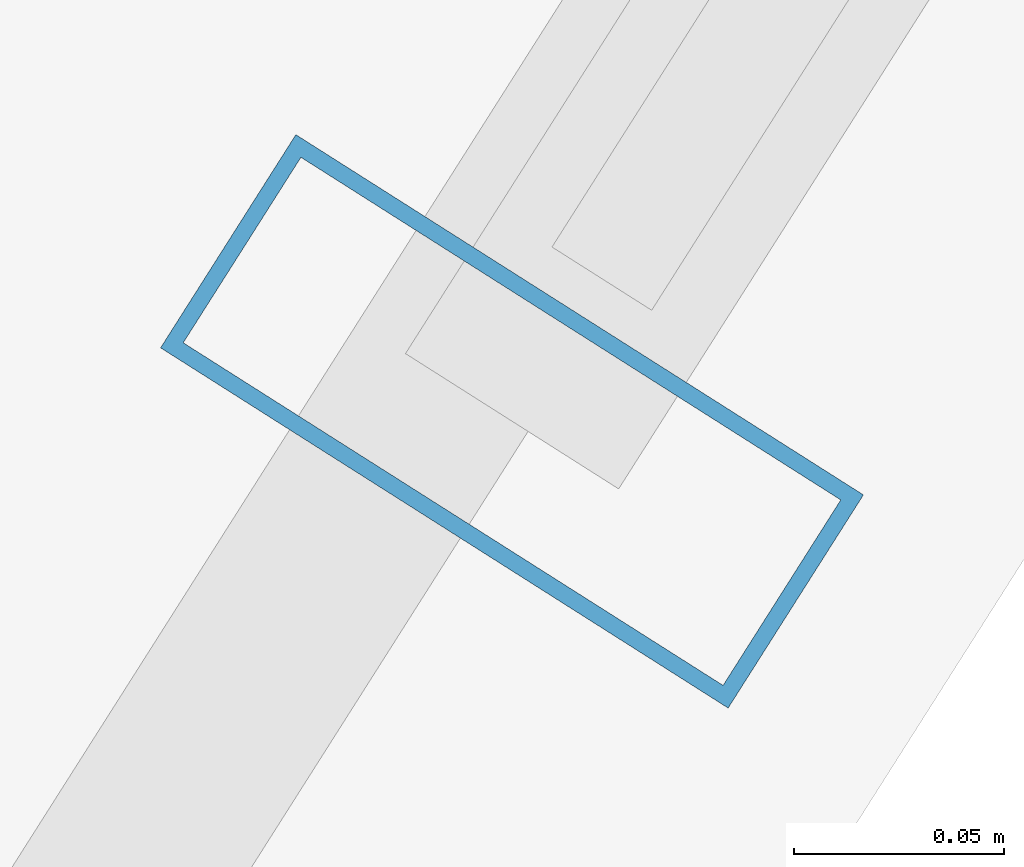
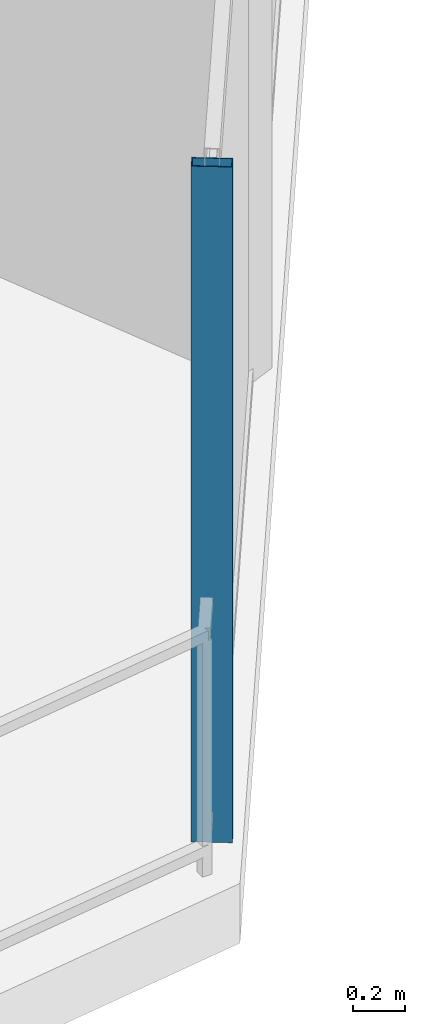
# One storey, part 5 of 30: 1 member, 1 element without a shape of its own.
"""IFC4 building model written with IfcOpenShell, lengths in metres."""

from ifc_helpers import new_model, si_unit, direction, frame, origin, origin_2d, place, context, subcontext, project, spatial, hollow_rectangle, extrude, material, layer, layer_set, material_profile, profile_set, type_object, element, aggregate, save


model = new_model("IFC4")

# Units and contexts
model_context = context("Model", 3, precision=1e-05, world=origin(), true_north=direction((0.0, 1.0)))
body_context = subcontext(model_context, "Body", "Model", "MODEL_VIEW")
ifc_project = project(units=[si_unit("LENGTHUNIT", "METRE"), si_unit("AREAUNIT", "SQUARE_METRE"), si_unit("VOLUMEUNIT", "CUBIC_METRE"), si_unit("PLANEANGLEUNIT", "RADIAN"), si_unit("MASSUNIT", "GRAM", prefix="KILO")], contexts=[model_context])

# Site, building, storey
site_placement = place(None, origin())
site = spatial("IfcSite", under=ifc_project, at=site_placement, CompositionType="ELEMENT")
building_placement = place(site_placement, origin())
building = spatial("IfcBuilding", under=site, at=building_placement, Name="Qarnah Convention Tower", CompositionType="ELEMENT")
storey_placement = place(building_placement, frame((0.0, 0.0, 58.050048828125)))
storey = spatial("IfcBuildingStorey", under=building, at=storey_placement, Name="L14", CompositionType="ELEMENT", Elevation=58.050048828125)

# Curtain wall, member
ifc_material_1 = material(Name="Tempered Low-E dark glass", Category="glass")
ifc_layer = layer(ifc_material_1, 0.16796875)
ifc_layer_set = layer_set([ifc_layer], Name="Tempered Low-E dark glass")
curtain_wall_type = type_object("IfcCurtainWallType", Name="CWS-01", PredefinedType="NOTDEFINED", material=ifc_layer_set)
curtain_wall_placement = place(storey_placement, origin())
curtain_wall = element("IfcCurtainWall", 1, at=curtain_wall_placement, inside=storey, type_object=curtain_wall_type, Name="L14 unitised curtain wall CW-L14-F2", PredefinedType="NOTDEFINED")
ifc_material_2 = material(Name="Black anodised aluminium", Category="aluminium")
ifc_material_profile = material_profile(ifc_material_2, hollow_rectangle(XDim=0.06005859375, YDim=0.159912109375, WallThickness=0.00390625, at=origin_2d()), Name="MUL-60X160")
ifc_profile_set = profile_set([ifc_material_profile], Name="Black anodised aluminium")
member_type = type_object("IfcMemberType", Name="MUL-T1", PredefinedType="MULLION", material=ifc_profile_set)
member_placement = place(storey_placement, frame((44.7509765625, 1.345947265625, 0.0), z_axis=(0.0, 0.0, 1.0), x_axis=(-0.535844994188, -0.844316375658, 0.0)))
member = element("IfcMember", 2, at=member_placement, type_object=member_type, Name="CW-L14-F2 mullion 6", PredefinedType="MULLION", context=body_context, shape_type="SweptSolid", body=[
    extrude(hollow_rectangle(XDim=0.06005859375, YDim=0.159912109375, WallThickness=0.00390625, at=origin_2d()), origin(), (0.0, 0.0, 1.0), 3.169921875),
])
aggregate(curtain_wall, [member])

save(model, "model.ifc")
